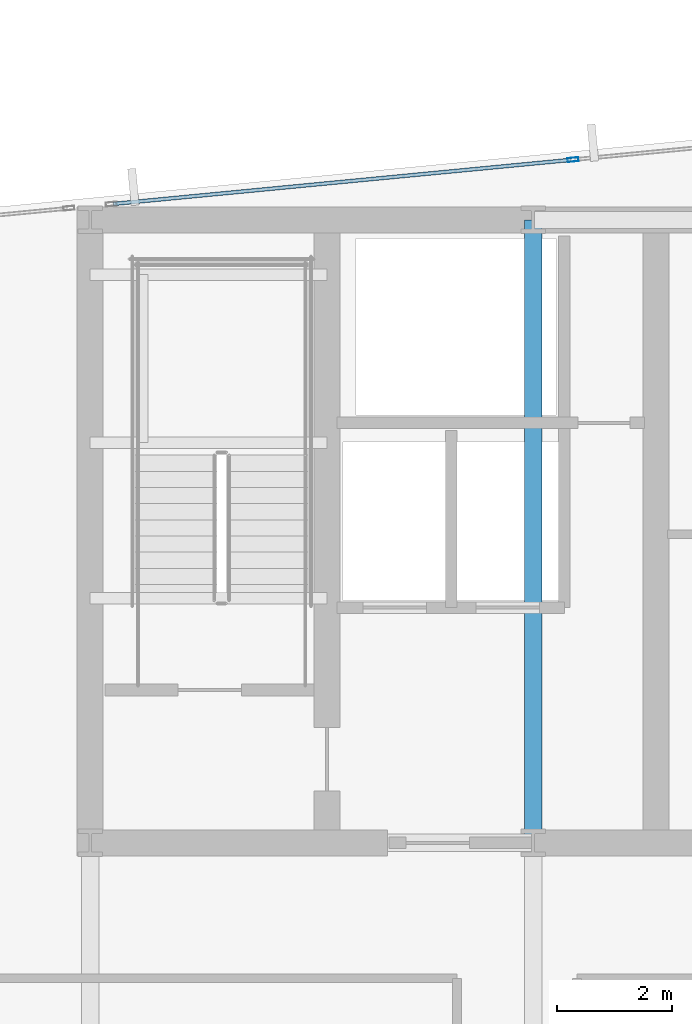
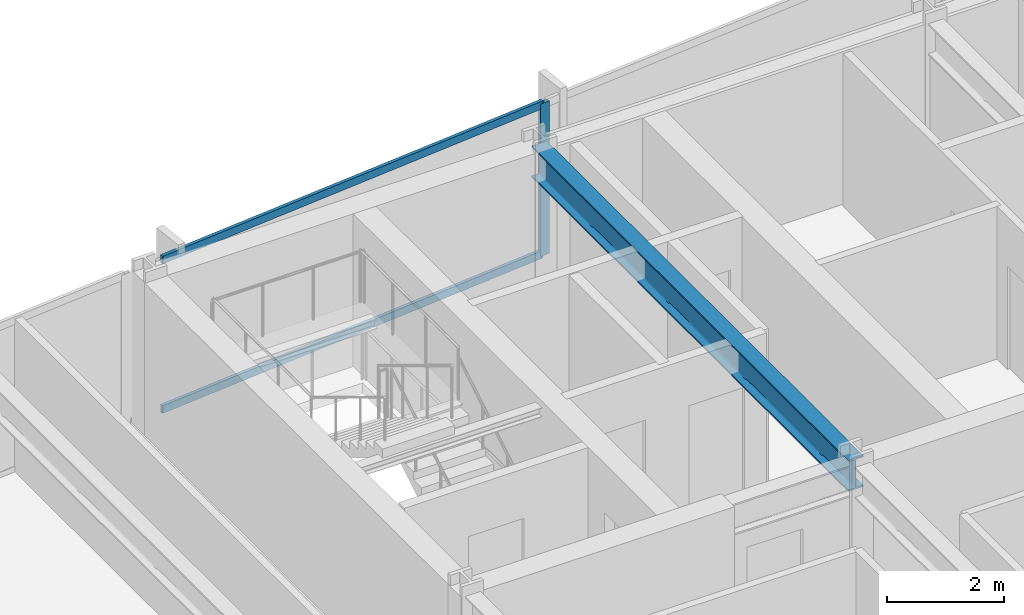
# One storey, part 18 of 32: 3 members, 1 beam, 1 element without a shape of its own.
"""IFC4 building model written with IfcOpenShell, lengths in metres."""

import ifcopenshell
import ifcopenshell.guid

model = None  # the IFC model being written
_history = None  # IfcOwnerHistory: only IFC2X3 demands one
_inside = {}  # id of a spatial element -> (the spatial element, [elements in it])
_under = {}  # id of a project, library or spatial element -> (it, [spatial elements below it])
_declared = {}  # id of a project -> (the project, [libraries it declares])
_typed = {}  # id of a type object -> (the type object, [elements of that type])
_made_of = {}  # id of a material, layer set ... -> (it, [elements and type objects made of it])


def new_model(schema):
    """Start an empty IFC model of exactly this schema.

    Asked for "IFC4X3", IfcOpenShell would pick the latest addendum, in which some entities
    have other attributes; the version numbers below select the first issue.
    IFC2X3 requires an IfcOwnerHistory on every rooted entity: one is made here for all.
    """
    global model, _history
    if schema == "IFC4X3":
        model = ifcopenshell.file(schema_version=(4, 3, 0, 0))
    else:
        model = ifcopenshell.file(schema=schema)
    _inside.clear()
    _under.clear()
    _declared.clear()
    _typed.clear()
    _made_of.clear()
    _history = None
    if model.schema == "IFC2X3":
        org = make("IfcOrganization", Name="unknown")
        user = make(
            "IfcPersonAndOrganization",
            ThePerson=make("IfcPerson", FamilyName="unknown"),
            TheOrganization=org,
        )
        app = make(
            "IfcApplication",
            ApplicationDeveloper=org,
            Version="unknown",
            ApplicationFullName="unknown",
            ApplicationIdentifier="unknown",
        )
        _history = make(
            "IfcOwnerHistory",
            OwningUser=user,
            OwningApplication=app,
            ChangeAction="ADDED",
            CreationDate=0,
        )
    return model


def make(cls, **values):
    """One entity of the class cls with the attributes given. An attribute that is None is left unset."""
    return model.create_entity(
        cls, **{name: value for name, value in values.items() if value is not None}
    )


def rooted(cls, **values):
    """An entity with a GlobalId (a new one), such as an element, a storey or a relation."""
    return make(cls, GlobalId=ifcopenshell.guid.new(), OwnerHistory=_history, **values)


def si_unit(unit_type, name, prefix=None):
    """IfcSIUnit, for example si_unit("LENGTHUNIT", "METRE", prefix="MILLI")."""
    return make("IfcSIUnit", UnitType=unit_type, Prefix=prefix, Name=name)


def assignment(units):
    """IfcUnitAssignment: the units of a project."""
    return None if units is None else make("IfcUnitAssignment", Units=units)


def point(xyz):
    """IfcCartesianPoint."""
    return None if xyz is None else make("IfcCartesianPoint", Coordinates=xyz)


def direction(xyz):
    """IfcDirection."""
    return None if xyz is None else make("IfcDirection", DirectionRatios=xyz)


def frame(location, z_axis=None, x_axis=None):
    """IfcAxis2Placement3D, a coordinate frame: its origin and axes. An axis left out is left unset."""
    return make(
        "IfcAxis2Placement3D",
        Location=point(location),
        Axis=direction(z_axis),
        RefDirection=direction(x_axis),
    )


def frame_2d(location, x_axis=None):
    """IfcAxis2Placement2D, a coordinate frame in the plane: its origin and x axis."""
    return make(
        "IfcAxis2Placement2D", Location=point(location), RefDirection=direction(x_axis)
    )


def origin():
    """The frame at (0, 0, 0) with its axes left unset."""
    return frame((0.0, 0.0, 0.0))


def origin_2d():
    """The frame at (0, 0) in the plane with its x axis left unset."""
    return frame_2d((0.0, 0.0))


def place(relative_to, where):
    """IfcLocalPlacement: puts the frame where relative to a parent placement (None: the world)."""
    return make(
        "IfcLocalPlacement", PlacementRelTo=relative_to, RelativePlacement=where
    )


def context(
    kind, dimensions, precision=None, world=None, true_north=None, identifier=None
):
    """IfcGeometricRepresentationContext, for example the 3D "Model" context."""
    return make(
        "IfcGeometricRepresentationContext",
        ContextIdentifier=identifier,
        ContextType=kind,
        CoordinateSpaceDimension=dimensions,
        Precision=precision,
        WorldCoordinateSystem=world,
        TrueNorth=true_north,
    )


def subcontext(parent, identifier, kind, view, scale=None):
    """IfcGeometricRepresentationSubContext, for example "Body" below "Model"."""
    return make(
        "IfcGeometricRepresentationSubContext",
        ContextIdentifier=identifier,
        ContextType=kind,
        ParentContext=parent,
        TargetScale=scale,
        TargetView=view,
    )


def project(units=None, contexts=None):
    """IfcProject with its units and contexts."""
    return rooted(
        "IfcProject",
        Name="project",
        RepresentationContexts=contexts,
        UnitsInContext=assignment(units),
    )


def spatial(cls, under=None, at=None, **own):
    """A site, building, storey or space (cls), placed at a placement, below another one or the project."""
    s = rooted(cls, ObjectPlacement=at, **own)
    if under is not None:
        _under.setdefault(under.id(), (under, []))[1].append(s)
    return s


def profile(cls, at=None, kind="AREA", **sizes):
    """A parametric profile (cls). Its sizes go by their IFC names, for example OverallWidth=200.0."""
    return make(cls, ProfileType=kind, Position=at, **sizes)


def hollow_rectangle(**sizes):
    """IfcRectangleHollowProfileDef."""
    return profile("IfcRectangleHollowProfileDef", **sizes)


def i_section(**sizes):
    """IfcIShapeProfileDef."""
    return profile("IfcIShapeProfileDef", **sizes)


def extrude(swept, where, along, depth):
    """IfcExtrudedAreaSolid: the profile swept, set in the frame where, extruded along a direction by depth."""
    return make(
        "IfcExtrudedAreaSolid",
        SweptArea=swept,
        Position=where,
        ExtrudedDirection=direction(along),
        Depth=depth,
    )


def shape(context_of_items, identifier, shape_type, items):
    """IfcShapeRepresentation: the items that make up one representation, for example the "Body"."""
    return make(
        "IfcShapeRepresentation",
        ContextOfItems=context_of_items,
        RepresentationIdentifier=identifier,
        RepresentationType=shape_type,
        Items=items,
    )


def material(Name=None, Category=None):
    """IfcMaterial."""
    return make("IfcMaterial", Name=Name, Category=Category)


def material_profile(
    of_material, cross_section, Name=None, Category=None, Priority=None
):
    """IfcMaterialProfile: a cross section and its material."""
    return make(
        "IfcMaterialProfile",
        Name=Name,
        Material=of_material,
        Profile=cross_section,
        Priority=Priority,
        Category=Category,
    )


def profile_set(profiles, Name=None, composite=None):
    """IfcMaterialProfileSet."""
    return make(
        "IfcMaterialProfileSet",
        Name=Name,
        MaterialProfiles=profiles,
        CompositeProfile=composite,
    )


def made_of(thing, what):
    """Note that an element or type object is made of a material, layer set ...; save() writes the relation."""
    if what is not None:
        _made_of.setdefault(what.id(), (what, []))[1].append(thing)
    return thing


def type_object(cls, material=None, **own):
    """A type object (cls), such as IfcWallType, which elements share."""
    return made_of(rooted(cls, **own), material)


def element(
    cls,
    number,
    at=None,
    inside=None,
    cuts=None,
    type_object=None,
    material=None,
    context=None,
    identifier="Body",
    shape_type=None,
    held_by="IfcProductDefinitionShape",
    body=None,
    shapes=None,
    **own,
):
    """One element of the class cls, such as IfcWall. Its Tag is "e" and its number.

    at: its placement. inside: the storey or other place that contains it. cuts: it is an
    opening in that element (IfcRelVoidsElement). A single representation is given by context,
    identifier, shape_type and body (its items); several are given by shapes. held_by: the class
    of the entity that holds the representations. save() writes the other relations.
    """
    e = rooted(cls, Tag="e%d" % number, ObjectPlacement=at, **own)
    if body is not None:
        shapes = [shape(context, identifier, shape_type, body)]
    if shapes is not None:
        e.Representation = make(held_by, Representations=shapes)
    if inside is not None:
        _inside.setdefault(inside.id(), (inside, []))[1].append(e)
    if cuts is not None:
        rooted(
            "IfcRelVoidsElement", RelatingBuildingElement=cuts, RelatedOpeningElement=e
        )
    if type_object is not None:
        _typed.setdefault(type_object.id(), (type_object, []))[1].append(e)
    return made_of(e, material)


def aggregate(whole, parts):
    """IfcRelAggregates: a whole, such as a stair, and the parts it consists of."""
    return rooted("IfcRelAggregates", RelatingObject=whole, RelatedObjects=parts)


def save(model, path):
    """Write the relations noted so far, then the file.

    IfcRelAggregates (storeys below a building ...), IfcRelContainedInSpatialStructure (elements
    in a storey), IfcRelDefinesByType, IfcRelAssociatesMaterial and IfcRelDeclares: one each for
    every whole, place, type object, material and project.
    """
    for whole, parts in _under.values():
        aggregate(whole, parts)
    for where, things in _inside.values():
        rooted(
            "IfcRelContainedInSpatialStructure",
            RelatedElements=things,
            RelatingStructure=where,
        )
    for kind, things in _typed.values():
        rooted("IfcRelDefinesByType", RelatedObjects=things, RelatingType=kind)
    for what, things in _made_of.values():
        rooted("IfcRelAssociatesMaterial", RelatedObjects=things, RelatingMaterial=what)
    for by, libraries in _declared.values():
        rooted("IfcRelDeclares", RelatingContext=by, RelatedDefinitions=libraries)
    model.write(path)


model = new_model("IFC4")

# Units and contexts
model_context = context("Model", 3, precision=1e-05, world=origin(), true_north=direction((0.0, 1.0)))
body_context = subcontext(model_context, "Body", "Model", "MODEL_VIEW")
ifc_project = project(units=[si_unit("LENGTHUNIT", "METRE"), si_unit("AREAUNIT", "SQUARE_METRE"), si_unit("VOLUMEUNIT", "CUBIC_METRE"), si_unit("PLANEANGLEUNIT", "RADIAN"), si_unit("MASSUNIT", "GRAM", prefix="KILO")], contexts=[model_context])

# Site, building, storey
site_placement = place(None, origin())
site = spatial("IfcSite", under=ifc_project, at=site_placement, CompositionType="ELEMENT")
building_placement = place(site_placement, origin())
building = spatial("IfcBuilding", under=site, at=building_placement, Name="Yelkora Congress Tower", CompositionType="ELEMENT")
storey_placement = place(building_placement, frame((0.0, 0.0, 103.300048828125)))
storey = spatial("IfcBuildingStorey", under=building, at=storey_placement, Name="L27", CompositionType="ELEMENT", Elevation=103.300048828125)

# Beam
ifc_material_1 = material(Name="Steel S355J2", Category="steel")
ifc_material_profile_1 = material_profile(ifc_material_1, i_section(OverallWidth=0.300048828125, OverallDepth=0.64990234375, WebThickness=0.01611328125, FlangeThickness=0.031005859375, FilletRadius=0.027099609375, at=origin_2d()), Name="HEB 650")
ifc_profile_set_1 = profile_set([ifc_material_profile_1], Name="Steel S355J2")
beam_type = type_object("IfcBeamType", Name="BM-GIRD-HEB650", PredefinedType="BEAM", material=ifc_profile_set_1)
beam_placement = place(storey_placement, frame((30.719970703125, 35.39990234375, 2.85498046875), z_axis=(0.0, 1.0, 0.0), x_axis=(-1.0, 0.0, 0.0)))
element("IfcBeam", 1, at=beam_placement, inside=storey, type_object=beam_type, Name="L27 Core Tie Girder MC-S2", PredefinedType="BEAM", context=body_context, shape_type="SweptSolid", body=[
    extrude(i_section(OverallWidth=0.300048828125, OverallDepth=0.64990234375, WebThickness=0.01611328125, FlangeThickness=0.031005859375, FilletRadius=0.027099609375, at=origin_2d()), origin(), (0.0, 0.0, 1.0), 10.800048828125),
])

# Curtain wall, members
ifc_material_2 = material(Name="Anodised aluminium and insulated glass", Category="aluminium")
curtain_wall_type = type_object("IfcCurtainWallType", Name="CW-SYS-B2", PredefinedType="NOTDEFINED", material=ifc_material_2)
curtain_wall_placement = place(storey_placement, origin())
curtain_wall = element("IfcCurtainWall", 2, at=curtain_wall_placement, inside=storey, type_object=curtain_wall_type, Name="L27 Unitised Curtain Wall 10 (3)", PredefinedType="NOTDEFINED")
ifc_material_3 = material(Name="Anodised aluminium 6063-T6", Category="aluminium")
ifc_material_profile_2 = material_profile(ifc_material_3, hollow_rectangle(XDim=0.070068359375, YDim=0.18994140625, WallThickness=0.00390625, at=origin_2d()), Name="ALU 70x190x4")
ifc_profile_set_2 = profile_set([ifc_material_profile_2], Name="Anodised aluminium 6063-T6")
member_type_1 = type_object("IfcMemberType", Name="MEM-ML-B2", PredefinedType="MULLION", material=ifc_profile_set_2)
member_1_placement = place(storey_placement, frame((31.411865234375, 47.244140625, 0.0), z_axis=(0.0, 0.0, 1.0), x_axis=(-0.095844238468, 0.995396344153, 0.0)))
member_1 = element("IfcMember", 3, at=member_1_placement, type_object=member_type_1, Name="CW-B2 mullion 2", PredefinedType="MULLION", context=body_context, shape_type="SweptSolid", body=[
    extrude(hollow_rectangle(XDim=0.070068359375, YDim=0.18994140625, WallThickness=0.00390625, at=origin_2d()), origin(), (0.0, 0.0, 1.0), 3.179931640625),
])
ifc_material_profile_3 = material_profile(ifc_material_3, hollow_rectangle(XDim=0.06494140625, YDim=0.159912109375, WallThickness=0.00390625, at=origin_2d()), Name="ALU 65x160x4")
ifc_profile_set_3 = profile_set([ifc_material_profile_3], Name="Anodised aluminium 6063-T6")
member_type_2 = type_object("IfcMemberType", Name="MEM-TR-B2", PredefinedType="USERDEFINED", material=ifc_profile_set_3)
member_2_placement = place(storey_placement, frame((23.441650390625, 46.476806640625, 0.032470703125), z_axis=(0.995398474706, 0.09582210889, 0.0), x_axis=(-0.09582210889, 0.995398474706, 0.0)))
member_2 = element("IfcMember", 4, at=member_2_placement, type_object=member_type_2, Name="CW-B2 transom 1.1", ObjectType="TRANSOM", PredefinedType="USERDEFINED", context=body_context, shape_type="SweptSolid", body=[
    extrude(hollow_rectangle(XDim=0.06494140625, YDim=0.159912109375, WallThickness=0.00390625, at=origin_2d()), origin(), (0.0, 0.0, 1.0), 7.97216796875),
])
member_3_placement = place(storey_placement, frame((23.441650390625, 46.476806640625, 3.1474609375), z_axis=(0.995398474706, 0.09582210889, 0.0), x_axis=(-0.09582210889, 0.995398474706, 0.0)))
member_3 = element("IfcMember", 5, at=member_3_placement, type_object=member_type_2, Name="CW-B2 transom 1.2", ObjectType="TRANSOM", PredefinedType="USERDEFINED", context=body_context, shape_type="SweptSolid", body=[
    extrude(hollow_rectangle(XDim=0.06494140625, YDim=0.159912109375, WallThickness=0.00390625, at=origin_2d()), origin(), (0.0, 0.0, 1.0), 7.97216796875),
])
aggregate(curtain_wall, [member_1, member_2, member_3])

save(model, "model.ifc")
